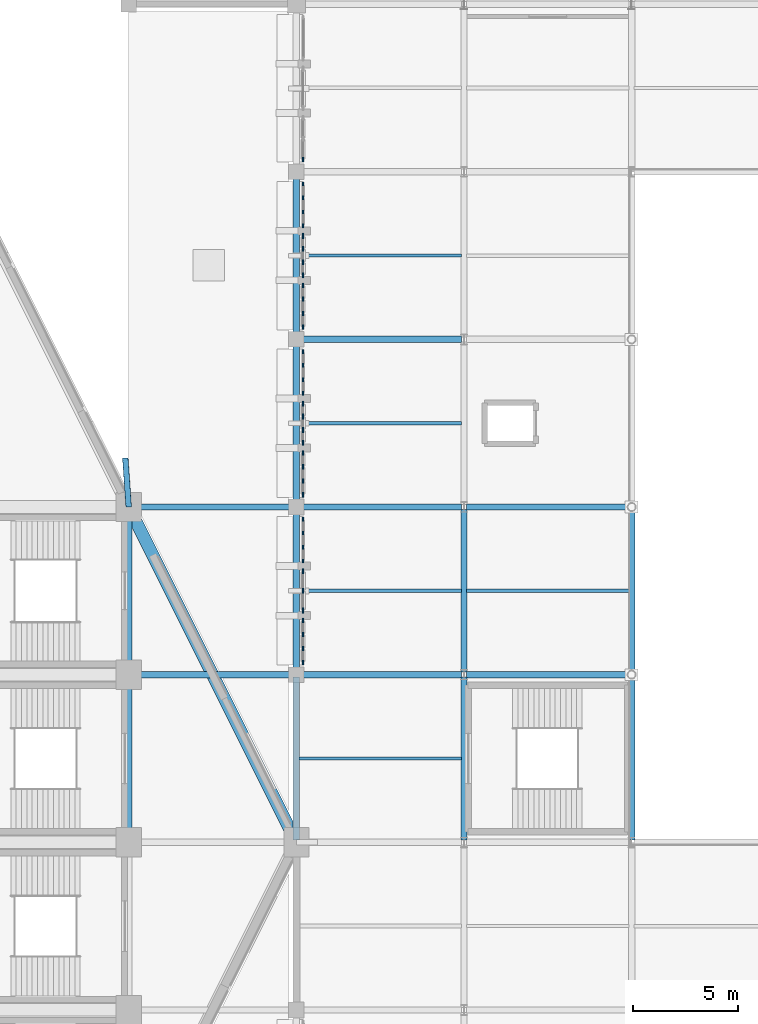
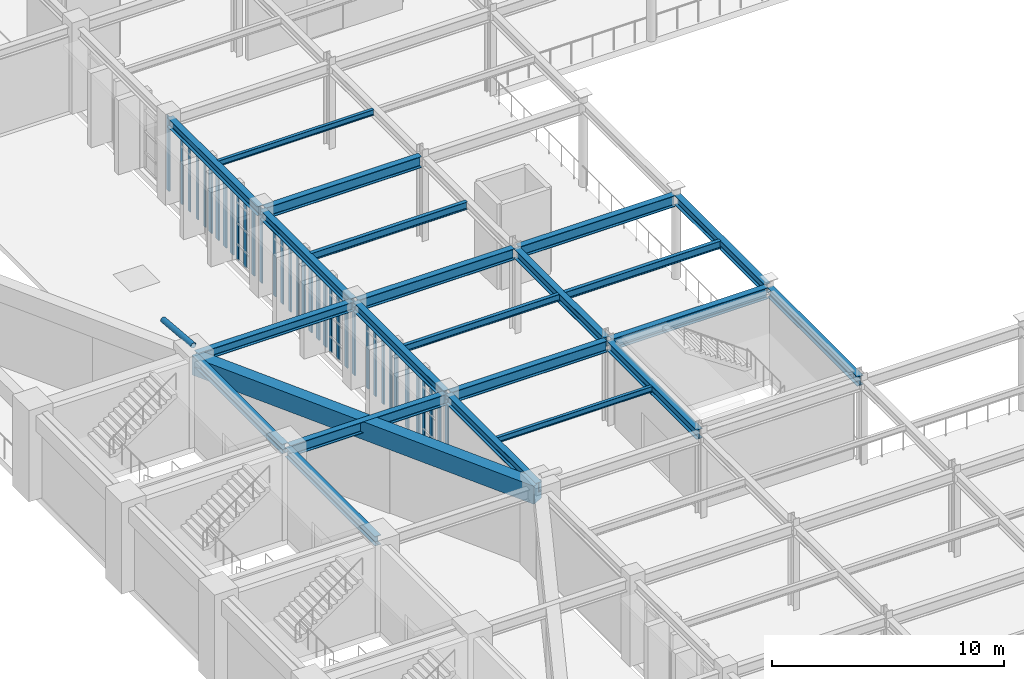
# One storey, part 39 of 155: 37 members, 23 beams, 10 elements without a shape of their own.
"""IFC4 building model written with IfcOpenShell, lengths in metres."""

import ifcopenshell
import ifcopenshell.guid

model = None  # the IFC model being written
_history = None  # IfcOwnerHistory: only IFC2X3 demands one
_inside = {}  # id of a spatial element -> (the spatial element, [elements in it])
_under = {}  # id of a project, library or spatial element -> (it, [spatial elements below it])
_declared = {}  # id of a project -> (the project, [libraries it declares])
_typed = {}  # id of a type object -> (the type object, [elements of that type])
_made_of = {}  # id of a material, layer set ... -> (it, [elements and type objects made of it])


def new_model(schema):
    """Start an empty IFC model of exactly this schema.

    Asked for "IFC4X3", IfcOpenShell would pick the latest addendum, in which some entities
    have other attributes; the version numbers below select the first issue.
    IFC2X3 requires an IfcOwnerHistory on every rooted entity: one is made here for all.
    """
    global model, _history
    if schema == "IFC4X3":
        model = ifcopenshell.file(schema_version=(4, 3, 0, 0))
    else:
        model = ifcopenshell.file(schema=schema)
    _inside.clear()
    _under.clear()
    _declared.clear()
    _typed.clear()
    _made_of.clear()
    _history = None
    if model.schema == "IFC2X3":
        org = make("IfcOrganization", Name="unknown")
        user = make(
            "IfcPersonAndOrganization",
            ThePerson=make("IfcPerson", FamilyName="unknown"),
            TheOrganization=org,
        )
        app = make(
            "IfcApplication",
            ApplicationDeveloper=org,
            Version="unknown",
            ApplicationFullName="unknown",
            ApplicationIdentifier="unknown",
        )
        _history = make(
            "IfcOwnerHistory",
            OwningUser=user,
            OwningApplication=app,
            ChangeAction="ADDED",
            CreationDate=0,
        )
    return model


def make(cls, **values):
    """One entity of the class cls with the attributes given. An attribute that is None is left unset."""
    return model.create_entity(
        cls, **{name: value for name, value in values.items() if value is not None}
    )


def rooted(cls, **values):
    """An entity with a GlobalId (a new one), such as an element, a storey or a relation."""
    return make(cls, GlobalId=ifcopenshell.guid.new(), OwnerHistory=_history, **values)


def si_unit(unit_type, name, prefix=None):
    """IfcSIUnit, for example si_unit("LENGTHUNIT", "METRE", prefix="MILLI")."""
    return make("IfcSIUnit", UnitType=unit_type, Prefix=prefix, Name=name)


def assignment(units):
    """IfcUnitAssignment: the units of a project."""
    return None if units is None else make("IfcUnitAssignment", Units=units)


def point(xyz):
    """IfcCartesianPoint."""
    return None if xyz is None else make("IfcCartesianPoint", Coordinates=xyz)


def direction(xyz):
    """IfcDirection."""
    return None if xyz is None else make("IfcDirection", DirectionRatios=xyz)


def frame(location, z_axis=None, x_axis=None):
    """IfcAxis2Placement3D, a coordinate frame: its origin and axes. An axis left out is left unset."""
    return make(
        "IfcAxis2Placement3D",
        Location=point(location),
        Axis=direction(z_axis),
        RefDirection=direction(x_axis),
    )


def frame_2d(location, x_axis=None):
    """IfcAxis2Placement2D, a coordinate frame in the plane: its origin and x axis."""
    return make(
        "IfcAxis2Placement2D", Location=point(location), RefDirection=direction(x_axis)
    )


def origin():
    """The frame at (0, 0, 0) with its axes left unset."""
    return frame((0.0, 0.0, 0.0))


def origin_2d():
    """The frame at (0, 0) in the plane with its x axis left unset."""
    return frame_2d((0.0, 0.0))


def place(relative_to, where):
    """IfcLocalPlacement: puts the frame where relative to a parent placement (None: the world)."""
    return make(
        "IfcLocalPlacement", PlacementRelTo=relative_to, RelativePlacement=where
    )


def context(
    kind, dimensions, precision=None, world=None, true_north=None, identifier=None
):
    """IfcGeometricRepresentationContext, for example the 3D "Model" context."""
    return make(
        "IfcGeometricRepresentationContext",
        ContextIdentifier=identifier,
        ContextType=kind,
        CoordinateSpaceDimension=dimensions,
        Precision=precision,
        WorldCoordinateSystem=world,
        TrueNorth=true_north,
    )


def subcontext(parent, identifier, kind, view, scale=None):
    """IfcGeometricRepresentationSubContext, for example "Body" below "Model"."""
    return make(
        "IfcGeometricRepresentationSubContext",
        ContextIdentifier=identifier,
        ContextType=kind,
        ParentContext=parent,
        TargetScale=scale,
        TargetView=view,
    )


def project(units=None, contexts=None):
    """IfcProject with its units and contexts."""
    return rooted(
        "IfcProject",
        Name="project",
        RepresentationContexts=contexts,
        UnitsInContext=assignment(units),
    )


def spatial(cls, under=None, at=None, **own):
    """A site, building, storey or space (cls), placed at a placement, below another one or the project."""
    s = rooted(cls, ObjectPlacement=at, **own)
    if under is not None:
        _under.setdefault(under.id(), (under, []))[1].append(s)
    return s


def profile(cls, at=None, kind="AREA", **sizes):
    """A parametric profile (cls). Its sizes go by their IFC names, for example OverallWidth=200.0."""
    return make(cls, ProfileType=kind, Position=at, **sizes)


def rectangle(**sizes):
    """IfcRectangleProfileDef."""
    return profile("IfcRectangleProfileDef", **sizes)


def hollow_circle(**sizes):
    """IfcCircleHollowProfileDef."""
    return profile("IfcCircleHollowProfileDef", **sizes)


def i_section(**sizes):
    """IfcIShapeProfileDef."""
    return profile("IfcIShapeProfileDef", **sizes)


def extrude(swept, where, along, depth):
    """IfcExtrudedAreaSolid: the profile swept, set in the frame where, extruded along a direction by depth."""
    return make(
        "IfcExtrudedAreaSolid",
        SweptArea=swept,
        Position=where,
        ExtrudedDirection=direction(along),
        Depth=depth,
    )


def shape(context_of_items, identifier, shape_type, items):
    """IfcShapeRepresentation: the items that make up one representation, for example the "Body"."""
    return make(
        "IfcShapeRepresentation",
        ContextOfItems=context_of_items,
        RepresentationIdentifier=identifier,
        RepresentationType=shape_type,
        Items=items,
    )


def material(Name=None, Category=None):
    """IfcMaterial."""
    return make("IfcMaterial", Name=Name, Category=Category)


def layer(
    of_material, thickness, ventilated=None, Name=None, Category=None, Priority=None
):
    """IfcMaterialLayer: one layer of a wall or slab, of a material (None: an air gap)."""
    return make(
        "IfcMaterialLayer",
        Material=of_material,
        LayerThickness=thickness,
        IsVentilated=ventilated,
        Name=Name,
        Category=Category,
        Priority=Priority,
    )


def layer_set(layers, Name=None):
    """IfcMaterialLayerSet."""
    return make("IfcMaterialLayerSet", MaterialLayers=layers, LayerSetName=Name)


def material_profile(
    of_material, cross_section, Name=None, Category=None, Priority=None
):
    """IfcMaterialProfile: a cross section and its material."""
    return make(
        "IfcMaterialProfile",
        Name=Name,
        Material=of_material,
        Profile=cross_section,
        Priority=Priority,
        Category=Category,
    )


def profile_set(profiles, Name=None, composite=None):
    """IfcMaterialProfileSet."""
    return make(
        "IfcMaterialProfileSet",
        Name=Name,
        MaterialProfiles=profiles,
        CompositeProfile=composite,
    )


def made_of(thing, what):
    """Note that an element or type object is made of a material, layer set ...; save() writes the relation."""
    if what is not None:
        _made_of.setdefault(what.id(), (what, []))[1].append(thing)
    return thing


def type_object(cls, material=None, **own):
    """A type object (cls), such as IfcWallType, which elements share."""
    return made_of(rooted(cls, **own), material)


def element(
    cls,
    number,
    at=None,
    inside=None,
    cuts=None,
    type_object=None,
    material=None,
    context=None,
    identifier="Body",
    shape_type=None,
    held_by="IfcProductDefinitionShape",
    body=None,
    shapes=None,
    **own,
):
    """One element of the class cls, such as IfcWall. Its Tag is "e" and its number.

    at: its placement. inside: the storey or other place that contains it. cuts: it is an
    opening in that element (IfcRelVoidsElement). A single representation is given by context,
    identifier, shape_type and body (its items); several are given by shapes. held_by: the class
    of the entity that holds the representations. save() writes the other relations.
    """
    e = rooted(cls, Tag="e%d" % number, ObjectPlacement=at, **own)
    if body is not None:
        shapes = [shape(context, identifier, shape_type, body)]
    if shapes is not None:
        e.Representation = make(held_by, Representations=shapes)
    if inside is not None:
        _inside.setdefault(inside.id(), (inside, []))[1].append(e)
    if cuts is not None:
        rooted(
            "IfcRelVoidsElement", RelatingBuildingElement=cuts, RelatedOpeningElement=e
        )
    if type_object is not None:
        _typed.setdefault(type_object.id(), (type_object, []))[1].append(e)
    return made_of(e, material)


def aggregate(whole, parts):
    """IfcRelAggregates: a whole, such as a stair, and the parts it consists of."""
    return rooted("IfcRelAggregates", RelatingObject=whole, RelatedObjects=parts)


def save(model, path):
    """Write the relations noted so far, then the file.

    IfcRelAggregates (storeys below a building ...), IfcRelContainedInSpatialStructure (elements
    in a storey), IfcRelDefinesByType, IfcRelAssociatesMaterial and IfcRelDeclares: one each for
    every whole, place, type object, material and project.
    """
    for whole, parts in _under.values():
        aggregate(whole, parts)
    for where, things in _inside.values():
        rooted(
            "IfcRelContainedInSpatialStructure",
            RelatedElements=things,
            RelatingStructure=where,
        )
    for kind, things in _typed.values():
        rooted("IfcRelDefinesByType", RelatedObjects=things, RelatingType=kind)
    for what, things in _made_of.values():
        rooted("IfcRelAssociatesMaterial", RelatedObjects=things, RelatingMaterial=what)
    for by, libraries in _declared.values():
        rooted("IfcRelDeclares", RelatingContext=by, RelatedDefinitions=libraries)
    model.write(path)


model = new_model("IFC4")

# Units and contexts
model_context = context("Model", 3, precision=1e-05, world=origin(), true_north=direction((0.0, 1.0)))
body_context = subcontext(model_context, "Body", "Model", "MODEL_VIEW")
ifc_project = project(units=[si_unit("LENGTHUNIT", "METRE"), si_unit("AREAUNIT", "SQUARE_METRE"), si_unit("VOLUMEUNIT", "CUBIC_METRE"), si_unit("PLANEANGLEUNIT", "RADIAN"), si_unit("MASSUNIT", "GRAM", prefix="KILO")], contexts=[model_context])

# Site, building, storey
site_placement = place(None, origin())
site = spatial("IfcSite", under=ifc_project, at=site_placement, CompositionType="ELEMENT")
building_placement = place(site_placement, origin())
building = spatial("IfcBuilding", under=site, at=building_placement, Name="Tazarka Park Arena", CompositionType="ELEMENT")
storey_placement = place(building_placement, frame((0.0, 0.0, 5.39990234375)))
storey = spatial("IfcBuildingStorey", under=building, at=storey_placement, Name="L01", CompositionType="ELEMENT", Elevation=5.39990234375)

# Beams
ifc_material_1 = material(Name="Steel S355", Category="steel")
ifc_material_profile_1 = material_profile(ifc_material_1, i_section(OverallWidth=0.300048828125, OverallDepth=0.590087890625, WebThickness=0.012939453125, FlangeThickness=0.02490234375, FilletRadius=0.027099609375, at=origin_2d()), Name="Steel S355")
ifc_profile_set_1 = profile_set([ifc_material_profile_1], Name="Steel S355")
beam_type_1 = type_object("IfcBeamType", Name="BM-B-07", PredefinedType="BEAM", material=ifc_profile_set_1)
for number, where, z_axis, x_axis, name in (
    (1, (128.1201171875, 72.0, 4.125), (1.0, 0.0, 0.0), (0.0, 1.0, 0.0), "GXM-L01-16-09"),
    (2, (136.1201171875, 72.0, 4.125), (1.0, 0.0, 0.0), (0.0, 1.0, 0.0), "GXM-L01-17-09"),
    (3, (136.1201171875, 80.0, 4.125), (1.0, 0.0, 0.0), (0.0, 1.0, 0.0), "GXM-L01-17-10"),
    (4, (136.1201171875, 88.0, 4.125), (1.0, 0.0, 0.0), (0.0, 1.0, 0.0), "GXM-L01-17-11"),
    (5, (144.1201171875, 72.0, 4.125), (1.0, 0.0, 0.0), (0.0, 1.0, 0.0), "GXM-L01-18-09"),
    (6, (144.1201171875, 80.0, 4.125), (1.0, 0.0, 0.0), (0.0, 1.0, 0.0), "GXM-L01-18-10"),
):
    element("IfcBeam", number, at=place(storey_placement, frame(where, z_axis=z_axis, x_axis=x_axis)), inside=storey, type_object=beam_type_1, Name=name, PredefinedType="BEAM", context=body_context, shape_type="SweptSolid", body=[
        extrude(i_section(OverallWidth=0.300048828125, OverallDepth=0.590087890625, WebThickness=0.012939453125, FlangeThickness=0.02490234375, FilletRadius=0.027099609375, at=origin_2d()), origin(), (0.0, 0.0, 1.0), 7.759765625),
    ])
ifc_material_2 = material(Name="Steel S355", Category="steel")
ifc_material_profile_2 = material_profile(ifc_material_2, i_section(OverallWidth=0.300048828125, OverallDepth=0.5, WebThickness=0.014404296875, FlangeThickness=0.028076171875, FilletRadius=0.027099609375, at=origin_2d()), Name="Steel S355")
ifc_profile_set_2 = profile_set([ifc_material_profile_2], Name="Steel S355")
beam_type_2 = type_object("IfcBeamType", Name="BM-B-08", PredefinedType="BEAM", material=ifc_profile_set_2)
for number, where, z_axis, x_axis, name in (
    (7, (128.0, 64.1201171875, 4.170166015625), (0.0, 1.0, 0.0), (-1.0, 0.0, 0.0), "GYM-L01-16-08"),
    (8, (128.0, 72.1201171875, 4.170166015625), (0.0, 1.0, 0.0), (-1.0, 0.0, 0.0), "GYM-L01-16-09"),
    (9, (136.0, 64.1201171875, 4.170166015625), (0.0, 1.0, 0.0), (-1.0, 0.0, 0.0), "GYM-L01-17-08"),
    (10, (136.0, 72.1201171875, 4.170166015625), (0.0, 1.0, 0.0), (-1.0, 0.0, 0.0), "GYM-L01-17-09"),
    (11, (136.0, 80.1201171875, 4.170166015625), (0.0, 1.0, 0.0), (-1.0, 0.0, 0.0), "GYM-L01-17-10"),
    (12, (144.0, 64.1201171875, 4.170166015625), (0.0, 1.0, 0.0), (-1.0, 0.0, 0.0), "GYM-L01-18-08"),
    (13, (144.0, 72.1201171875, 4.170166015625), (0.0, 1.0, 0.0), (-1.0, 0.0, 0.0), "GYM-L01-18-09"),
    (14, (152.0, 64.1201171875, 4.170166015625), (0.0, 1.0, 0.0), (-1.0, 0.0, 0.0), "GYM-L01-19-08"),
):
    element("IfcBeam", number, at=place(storey_placement, frame(where, z_axis=z_axis, x_axis=x_axis)), inside=storey, type_object=beam_type_2, Name=name, PredefinedType="BEAM", context=body_context, shape_type="SweptSolid", body=[
        extrude(i_section(OverallWidth=0.300048828125, OverallDepth=0.5, WebThickness=0.014404296875, FlangeThickness=0.028076171875, FilletRadius=0.027099609375, at=origin_2d()), origin(), (0.0, 0.0, 1.0), 7.759765625),
    ])
ifc_material_3 = material(Name="Steel S355", Category="steel")
ifc_material_profile_3 = material_profile(ifc_material_3, i_section(OverallWidth=0.14990234375, OverallDepth=0.300048828125, WebThickness=0.007080078125, FlangeThickness=0.0107421875, FilletRadius=0.014892578125, at=origin_2d()), Name="Steel S355")
ifc_profile_set_3 = profile_set([ifc_material_profile_3], Name="Steel S355")
beam_type_3 = type_object("IfcBeamType", Name="BM-J-01", PredefinedType="JOIST", material=ifc_profile_set_3)
for number, where, z_axis, x_axis, name in (
    (15, (136.1201171875, 68.0, 4.27001953125), (1.0, 0.0, 0.0), (0.0, 1.0, 0.0), "JST-L01-17-08"),
    (16, (136.1201171875, 92.0, 4.27001953125), (1.0, 0.0, 0.0), (0.0, 1.0, 0.0), "JST-L01-17-11"),
):
    element("IfcBeam", number, at=place(storey_placement, frame(where, z_axis=z_axis, x_axis=x_axis)), inside=storey, type_object=beam_type_3, Name=name, PredefinedType="JOIST", context=body_context, shape_type="SweptSolid", body=[
        extrude(i_section(OverallWidth=0.14990234375, OverallDepth=0.300048828125, WebThickness=0.007080078125, FlangeThickness=0.0107421875, FilletRadius=0.014892578125, at=origin_2d()), origin(), (0.0, 0.0, 1.0), 7.759765625),
    ])
ifc_material_4 = material(Name="Steel S355", Category="steel")
ifc_material_profile_4 = material_profile(ifc_material_4, i_section(OverallWidth=0.169921875, OverallDepth=0.360107421875, WebThickness=0.008056640625, FlangeThickness=0.0126953125, FilletRadius=0.01806640625, at=origin_2d()), Name="Steel S355")
ifc_profile_set_4 = profile_set([ifc_material_profile_4], Name="Steel S355")
beam_type_4 = type_object("IfcBeamType", Name="BM-J-02", PredefinedType="JOIST", material=ifc_profile_set_4)
beam_1_placement = place(storey_placement, frame((136.1201171875, 76.0, 4.239990234375), z_axis=(1.0, 0.0, 0.0), x_axis=(0.0, 1.0, 0.0)))
element("IfcBeam", 17, at=beam_1_placement, inside=storey, type_object=beam_type_4, Name="JST-L01-17-09", PredefinedType="JOIST", context=body_context, shape_type="SweptSolid", body=[
    extrude(i_section(OverallWidth=0.169921875, OverallDepth=0.360107421875, WebThickness=0.008056640625, FlangeThickness=0.0126953125, FilletRadius=0.01806640625, at=origin_2d()), origin(), (0.0, 0.0, 1.0), 7.759765625),
])
ifc_material_5 = material(Name="Steel S355", Category="steel")
ifc_material_profile_5 = material_profile(ifc_material_5, i_section(OverallWidth=0.179931640625, OverallDepth=0.39990234375, WebThickness=0.008544921875, FlangeThickness=0.013427734375, FilletRadius=0.02099609375, at=origin_2d()), Name="Steel S355")
ifc_profile_set_5 = profile_set([ifc_material_profile_5], Name="Steel S355")
beam_type_5 = type_object("IfcBeamType", Name="BM-J-03", PredefinedType="JOIST", material=ifc_profile_set_5)
for number, where, z_axis, x_axis, name in (
    (18, (136.1201171875, 84.0, 4.22021484375), (1.0, 0.0, 0.0), (0.0, 1.0, 0.0), "JST-L01-17-10"),
    (19, (144.1201171875, 76.0, 4.22021484375), (1.0, 0.0, 0.0), (0.0, 1.0, 0.0), "JST-L01-18-09"),
):
    element("IfcBeam", number, at=place(storey_placement, frame(where, z_axis=z_axis, x_axis=x_axis)), inside=storey, type_object=beam_type_5, Name=name, PredefinedType="JOIST", context=body_context, shape_type="SweptSolid", body=[
        extrude(i_section(OverallWidth=0.179931640625, OverallDepth=0.39990234375, WebThickness=0.008544921875, FlangeThickness=0.013427734375, FilletRadius=0.02099609375, at=origin_2d()), origin(), (0.0, 0.0, 1.0), 7.759765625),
    ])
ifc_material_6 = material(Name="Steel S355", Category="steel")
ifc_material_profile_6 = material_profile(ifc_material_6, i_section(OverallWidth=0.300048828125, OverallDepth=0.489990234375, WebThickness=0.011962890625, FlangeThickness=0.02294921875, FilletRadius=0.027099609375, at=origin_2d()), Name="Steel S355")
ifc_profile_set_6 = profile_set([ifc_material_profile_6], Name="Steel S355")
beam_type_6 = type_object("IfcBeamType", Name="BM-SP-02", PredefinedType="SPANDREL", material=ifc_profile_set_6)
for number, where, z_axis, x_axis, name in (
    (20, (128.1201171875, 80.0, 4.175048828125), (1.0, 0.0, 0.0), (0.0, 1.0, 0.0), "GXM-L01-16-10"),
    (21, (136.0, 88.1201171875, 4.175048828125), (0.0, 1.0, 0.0), (-1.0, 0.0, 0.0), "GYM-L01-17-11"),
    (22, (152.0, 72.1201171875, 4.175048828125), (0.0, 1.0, 0.0), (-1.0, 0.0, 0.0), "GYM-L01-19-09"),
):
    element("IfcBeam", number, at=place(storey_placement, frame(where, z_axis=z_axis, x_axis=x_axis)), inside=storey, type_object=beam_type_6, Name=name, PredefinedType="SPANDREL", context=body_context, shape_type="SweptSolid", body=[
        extrude(i_section(OverallWidth=0.300048828125, OverallDepth=0.489990234375, WebThickness=0.011962890625, FlangeThickness=0.02294921875, FilletRadius=0.027099609375, at=origin_2d()), origin(), (0.0, 0.0, 1.0), 7.759765625),
    ])
ifc_material_7 = material(Name="Concrete C40/50", Category="concrete")
ifc_material_profile_7 = material_profile(ifc_material_7, rectangle(XDim=0.60009765625, YDim=0.949951171875, at=origin_2d()), Name="Concrete C40/50")
ifc_profile_set_7 = profile_set([ifc_material_profile_7], Name="Concrete C40/50")
beam_type_7 = type_object("IfcBeamType", Name="BM-SP-03", PredefinedType="SPANDREL", material=ifc_profile_set_7)
beam_2_placement = place(storey_placement, frame((135.9462890625, 64.107421875, 3.945068359375), z_axis=(-0.4472135955, 0.894427191, 0.0), x_axis=(-0.894427191, -0.4472135955, 0.0)))
element("IfcBeam", 23, at=beam_2_placement, inside=storey, type_object=beam_type_7, Name="RING BEAM SP-03-L01-10", PredefinedType="SPANDREL", context=body_context, shape_type="SweptSolid", body=[
    extrude(rectangle(XDim=0.60009765625, YDim=0.949951171875, at=origin_2d()), origin(), (0.0, 0.0, 1.0), 17.6484375),
])

# Curtain wall, members
ifc_material_8 = material(Name="Aluminium and low-e glass", Category="aluminium")
ifc_layer_1 = layer(ifc_material_8, 0.179931640625, Name="Aluminium and low-e glass")
ifc_layer_set_1 = layer_set([ifc_layer_1], Name="Aluminium and low-e glass")
curtain_wall_type_1 = type_object("IfcCurtainWallType", Name="CW-03", PredefinedType="NOTDEFINED", material=ifc_layer_set_1)
curtain_wall_1_placement = place(storey_placement, origin())
curtain_wall_1 = element("IfcCurtainWall", 24, at=curtain_wall_1_placement, inside=storey, type_object=curtain_wall_type_1, Name="Curtain Wall CWA-L01-153", PredefinedType="NOTDEFINED")
ifc_material_9 = material(Name="Aluminium 6060-T66", Category="aluminium")
ifc_material_profile_8 = material_profile(ifc_material_9, rectangle(XDim=0.06494140625, YDim=0.179931640625, at=origin_2d()), Name="Aluminium 6060-T66")
ifc_profile_set_8 = profile_set([ifc_material_profile_8], Name="Aluminium 6060-T66")
member_type_1 = type_object("IfcMemberType", Name="CWM-01", PredefinedType="MULLION", material=ifc_profile_set_8)
member_1_placement = place(storey_placement, frame((136.320068359375, 93.42431640625, 0.0), z_axis=(0.0, 0.0, 1.0), x_axis=(-1.0, 0.0, 0.0)))
member_1 = element("IfcMember", 25, at=member_1_placement, type_object=member_type_1, Name="CW-03 mullion 1", PredefinedType="MULLION", context=body_context, shape_type="SweptSolid", body=[
    extrude(rectangle(XDim=0.06494140625, YDim=0.179931640625, at=origin_2d()), origin(), (0.0, 0.0, 1.0), 3.91015625),
])
member_2_placement = place(storey_placement, frame((136.320068359375, 94.076171875, 0.0), z_axis=(0.0, 0.0, 1.0), x_axis=(-1.0, 0.0, 0.0)))
member_2 = element("IfcMember", 26, at=member_2_placement, type_object=member_type_1, Name="CW-03 mullion 2", PredefinedType="MULLION", context=body_context, shape_type="SweptSolid", body=[
    extrude(rectangle(XDim=0.06494140625, YDim=0.179931640625, at=origin_2d()), origin(), (0.0, 0.0, 1.0), 3.91015625),
])
member_3_placement = place(storey_placement, frame((136.320068359375, 94.760498046875, 0.0), z_axis=(0.0, 0.0, 1.0), x_axis=(-1.0, 0.0, 0.0)))
member_3 = element("IfcMember", 27, at=member_3_placement, type_object=member_type_1, Name="CW-03 mullion 3", PredefinedType="MULLION", context=body_context, shape_type="SweptSolid", body=[
    extrude(rectangle(XDim=0.06494140625, YDim=0.179931640625, at=origin_2d()), origin(), (0.0, 0.0, 1.0), 3.91015625),
])
member_4_placement = place(storey_placement, frame((136.320068359375, 95.41259765625, 0.0), z_axis=(0.0, 0.0, 1.0), x_axis=(-1.0, 0.0, 0.0)))
member_4 = element("IfcMember", 28, at=member_4_placement, type_object=member_type_1, Name="CW-03 mullion 4", PredefinedType="MULLION", context=body_context, shape_type="SweptSolid", body=[
    extrude(rectangle(XDim=0.06494140625, YDim=0.179931640625, at=origin_2d()), origin(), (0.0, 0.0, 1.0), 3.91015625),
])
aggregate(curtain_wall_1, [member_1, member_2, member_3, member_4])

ifc_material_10 = material(Name="Aluminium and low-e glass", Category="aluminium")
ifc_layer_2 = layer(ifc_material_10, 0.179931640625, Name="Aluminium and low-e glass")
ifc_layer_set_2 = layer_set([ifc_layer_2], Name="Aluminium and low-e glass")
curtain_wall_type_2 = type_object("IfcCurtainWallType", Name="CW-06", PredefinedType="NOTDEFINED", material=ifc_layer_set_2)
curtain_wall_2_placement = place(storey_placement, origin())
curtain_wall_2 = element("IfcCurtainWall", 29, at=curtain_wall_2_placement, inside=storey, type_object=curtain_wall_type_2, Name="Curtain Wall CWA-L01-156", PredefinedType="NOTDEFINED")
member_5_placement = place(storey_placement, frame((136.320068359375, 85.42431640625, 0.0), z_axis=(0.0, 0.0, 1.0), x_axis=(-1.0, 0.0, 0.0)))
member_5 = element("IfcMember", 30, at=member_5_placement, type_object=member_type_1, Name="CW-06 mullion 1", PredefinedType="MULLION", context=body_context, shape_type="SweptSolid", body=[
    extrude(rectangle(XDim=0.06494140625, YDim=0.179931640625, at=origin_2d()), origin(), (0.0, 0.0, 1.0), 3.900146484375),
])
member_6_placement = place(storey_placement, frame((136.320068359375, 86.076171875, 0.0), z_axis=(0.0, 0.0, 1.0), x_axis=(-1.0, 0.0, 0.0)))
member_6 = element("IfcMember", 31, at=member_6_placement, type_object=member_type_1, Name="CW-06 mullion 2", PredefinedType="MULLION", context=body_context, shape_type="SweptSolid", body=[
    extrude(rectangle(XDim=0.06494140625, YDim=0.179931640625, at=origin_2d()), origin(), (0.0, 0.0, 1.0), 3.900146484375),
])
member_7_placement = place(storey_placement, frame((136.320068359375, 86.760498046875, 0.0), z_axis=(0.0, 0.0, 1.0), x_axis=(-1.0, 0.0, 0.0)))
member_7 = element("IfcMember", 32, at=member_7_placement, type_object=member_type_1, Name="CW-06 mullion 3", PredefinedType="MULLION", context=body_context, shape_type="SweptSolid", body=[
    extrude(rectangle(XDim=0.06494140625, YDim=0.179931640625, at=origin_2d()), origin(), (0.0, 0.0, 1.0), 3.900146484375),
])
member_8_placement = place(storey_placement, frame((136.320068359375, 87.41259765625, 0.0), z_axis=(0.0, 0.0, 1.0), x_axis=(-1.0, 0.0, 0.0)))
member_8 = element("IfcMember", 33, at=member_8_placement, type_object=member_type_1, Name="CW-06 mullion 4", PredefinedType="MULLION", context=body_context, shape_type="SweptSolid", body=[
    extrude(rectangle(XDim=0.06494140625, YDim=0.179931640625, at=origin_2d()), origin(), (0.0, 0.0, 1.0), 3.900146484375),
])
aggregate(curtain_wall_2, [member_5, member_6, member_7, member_8])

ifc_material_11 = material(Name="Aluminium and low-e glass", Category="aluminium")
ifc_layer_3 = layer(ifc_material_11, 0.179931640625, Name="Aluminium and low-e glass")
ifc_layer_set_3 = layer_set([ifc_layer_3], Name="Aluminium and low-e glass")
curtain_wall_type_3 = type_object("IfcCurtainWallType", Name="CW-09", PredefinedType="NOTDEFINED", material=ifc_layer_set_3)
curtain_wall_3_placement = place(storey_placement, origin())
curtain_wall_3 = element("IfcCurtainWall", 34, at=curtain_wall_3_placement, inside=storey, type_object=curtain_wall_type_3, Name="Curtain Wall CWA-L01-159", PredefinedType="NOTDEFINED")
member_9_placement = place(storey_placement, frame((136.320068359375, 77.42431640625, 0.0), z_axis=(0.0, 0.0, 1.0), x_axis=(-1.0, 0.0, 0.0)))
member_9 = element("IfcMember", 35, at=member_9_placement, type_object=member_type_1, Name="CW-09 mullion 1", PredefinedType="MULLION", context=body_context, shape_type="SweptSolid", body=[
    extrude(rectangle(XDim=0.06494140625, YDim=0.179931640625, at=origin_2d()), origin(), (0.0, 0.0, 1.0), 3.900146484375),
])
member_10_placement = place(storey_placement, frame((136.320068359375, 78.076171875, 0.0), z_axis=(0.0, 0.0, 1.0), x_axis=(-1.0, 0.0, 0.0)))
member_10 = element("IfcMember", 36, at=member_10_placement, type_object=member_type_1, Name="CW-09 mullion 2", PredefinedType="MULLION", context=body_context, shape_type="SweptSolid", body=[
    extrude(rectangle(XDim=0.06494140625, YDim=0.179931640625, at=origin_2d()), origin(), (0.0, 0.0, 1.0), 3.900146484375),
])
member_11_placement = place(storey_placement, frame((136.320068359375, 78.760498046875, 0.0), z_axis=(0.0, 0.0, 1.0), x_axis=(-1.0, 0.0, 0.0)))
member_11 = element("IfcMember", 37, at=member_11_placement, type_object=member_type_1, Name="CW-09 mullion 3", PredefinedType="MULLION", context=body_context, shape_type="SweptSolid", body=[
    extrude(rectangle(XDim=0.06494140625, YDim=0.179931640625, at=origin_2d()), origin(), (0.0, 0.0, 1.0), 3.900146484375),
])
member_12_placement = place(storey_placement, frame((136.320068359375, 79.41259765625, 0.0), z_axis=(0.0, 0.0, 1.0), x_axis=(-1.0, 0.0, 0.0)))
member_12 = element("IfcMember", 38, at=member_12_placement, type_object=member_type_1, Name="CW-09 mullion 4", PredefinedType="MULLION", context=body_context, shape_type="SweptSolid", body=[
    extrude(rectangle(XDim=0.06494140625, YDim=0.179931640625, at=origin_2d()), origin(), (0.0, 0.0, 1.0), 3.900146484375),
])
aggregate(curtain_wall_3, [member_9, member_10, member_11, member_12])

# Curtain wall, member
ifc_material_12 = material(Name="Aluminium and low-e glass", Category="aluminium")
ifc_layer_4 = layer(ifc_material_12, 0.179931640625, Name="Aluminium and low-e glass")
ifc_layer_set_4 = layer_set([ifc_layer_4], Name="Aluminium and low-e glass")
curtain_wall_type_4 = type_object("IfcCurtainWallType", Name="CW-28", PredefinedType="NOTDEFINED", material=ifc_layer_set_4)
curtain_wall_4_placement = place(storey_placement, origin())
curtain_wall_4 = element("IfcCurtainWall", 39, at=curtain_wall_4_placement, inside=storey, type_object=curtain_wall_type_4, Name="Curtain Wall CWA-L01-148", PredefinedType="NOTDEFINED")
ifc_material_13 = material(Name="Aluminium 6060-T66", Category="aluminium")
ifc_material_profile_9 = material_profile(ifc_material_13, rectangle(XDim=0.06494140625, YDim=0.219970703125, at=origin_2d()), Name="Aluminium 6060-T66")
ifc_profile_set_9 = profile_set([ifc_material_profile_9], Name="Aluminium 6060-T66")
member_type_2 = type_object("IfcMemberType", Name="CWM-02", PredefinedType="MULLION", material=ifc_profile_set_9)
member_13_placement = place(storey_placement, frame((136.320068359375, 96.58740234375, 0.0), z_axis=(0.0, 0.0, 1.0), x_axis=(-1.0, 0.0, 0.0)))
member_13 = element("IfcMember", 40, at=member_13_placement, type_object=member_type_2, Name="CW-28 mullion 1", PredefinedType="MULLION", context=body_context, shape_type="SweptSolid", body=[
    extrude(rectangle(XDim=0.06494140625, YDim=0.219970703125, at=origin_2d()), origin(), (0.0, 0.0, 1.0), 3.91015625),
])
aggregate(curtain_wall_4, [member_13])

# Curtain wall, members
ifc_material_14 = material(Name="Aluminium and low-e glass", Category="aluminium")
ifc_layer_5 = layer(ifc_material_14, 0.179931640625, Name="Aluminium and low-e glass")
ifc_layer_set_5 = layer_set([ifc_layer_5], Name="Aluminium and low-e glass")
curtain_wall_type_5 = type_object("IfcCurtainWallType", Name="CW-01", PredefinedType="NOTDEFINED", material=ifc_layer_set_5)
curtain_wall_5_placement = place(storey_placement, origin())
curtain_wall_5 = element("IfcCurtainWall", 41, at=curtain_wall_5_placement, inside=storey, type_object=curtain_wall_type_5, Name="Curtain Wall CWA-L01-151", PredefinedType="NOTDEFINED")
member_14_placement = place(storey_placement, frame((136.320068359375, 88.58740234375, 0.0), z_axis=(0.0, 0.0, 1.0), x_axis=(-1.0, 0.0, 0.0)))
member_14 = element("IfcMember", 42, at=member_14_placement, type_object=member_type_2, Name="CW-01 mullion 1", PredefinedType="MULLION", context=body_context, shape_type="SweptSolid", body=[
    extrude(rectangle(XDim=0.06494140625, YDim=0.219970703125, at=origin_2d()), origin(), (0.0, 0.0, 1.0), 3.91015625),
])
member_15_placement = place(storey_placement, frame((136.320068359375, 89.239501953125, 0.0), z_axis=(0.0, 0.0, 1.0), x_axis=(-1.0, 0.0, 0.0)))
member_15 = element("IfcMember", 43, at=member_15_placement, type_object=member_type_2, Name="CW-01 mullion 2", PredefinedType="MULLION", context=body_context, shape_type="SweptSolid", body=[
    extrude(rectangle(XDim=0.06494140625, YDim=0.219970703125, at=origin_2d()), origin(), (0.0, 0.0, 1.0), 3.91015625),
])
member_16_placement = place(storey_placement, frame((136.320068359375, 89.923828125, 0.0), z_axis=(0.0, 0.0, 1.0), x_axis=(-1.0, 0.0, 0.0)))
member_16 = element("IfcMember", 44, at=member_16_placement, type_object=member_type_2, Name="CW-01 mullion 3", PredefinedType="MULLION", context=body_context, shape_type="SweptSolid", body=[
    extrude(rectangle(XDim=0.06494140625, YDim=0.219970703125, at=origin_2d()), origin(), (0.0, 0.0, 1.0), 3.91015625),
])
member_17_placement = place(storey_placement, frame((136.320068359375, 90.57568359375, 0.0), z_axis=(0.0, 0.0, 1.0), x_axis=(-1.0, 0.0, 0.0)))
member_17 = element("IfcMember", 45, at=member_17_placement, type_object=member_type_2, Name="CW-01 mullion 4", PredefinedType="MULLION", context=body_context, shape_type="SweptSolid", body=[
    extrude(rectangle(XDim=0.06494140625, YDim=0.219970703125, at=origin_2d()), origin(), (0.0, 0.0, 1.0), 3.91015625),
])
aggregate(curtain_wall_5, [member_14, member_15, member_16, member_17])

ifc_material_15 = material(Name="Aluminium and low-e glass", Category="aluminium")
ifc_layer_6 = layer(ifc_material_15, 0.179931640625, Name="Aluminium and low-e glass")
ifc_layer_set_6 = layer_set([ifc_layer_6], Name="Aluminium and low-e glass")
curtain_wall_type_6 = type_object("IfcCurtainWallType", Name="CW-04", PredefinedType="NOTDEFINED", material=ifc_layer_set_6)
curtain_wall_6_placement = place(storey_placement, origin())
curtain_wall_6 = element("IfcCurtainWall", 46, at=curtain_wall_6_placement, inside=storey, type_object=curtain_wall_type_6, Name="Curtain Wall CWA-L01-154", PredefinedType="NOTDEFINED")
member_18_placement = place(storey_placement, frame((136.320068359375, 80.58740234375, 0.0), z_axis=(0.0, 0.0, 1.0), x_axis=(-1.0, 0.0, 0.0)))
member_18 = element("IfcMember", 47, at=member_18_placement, type_object=member_type_2, Name="CW-04 mullion 1", PredefinedType="MULLION", context=body_context, shape_type="SweptSolid", body=[
    extrude(rectangle(XDim=0.06494140625, YDim=0.219970703125, at=origin_2d()), origin(), (0.0, 0.0, 1.0), 3.900146484375),
])
member_19_placement = place(storey_placement, frame((136.320068359375, 81.239501953125, 0.0), z_axis=(0.0, 0.0, 1.0), x_axis=(-1.0, 0.0, 0.0)))
member_19 = element("IfcMember", 48, at=member_19_placement, type_object=member_type_2, Name="CW-04 mullion 2", PredefinedType="MULLION", context=body_context, shape_type="SweptSolid", body=[
    extrude(rectangle(XDim=0.06494140625, YDim=0.219970703125, at=origin_2d()), origin(), (0.0, 0.0, 1.0), 3.900146484375),
])
member_20_placement = place(storey_placement, frame((136.320068359375, 81.923828125, 0.0), z_axis=(0.0, 0.0, 1.0), x_axis=(-1.0, 0.0, 0.0)))
member_20 = element("IfcMember", 49, at=member_20_placement, type_object=member_type_2, Name="CW-04 mullion 3", PredefinedType="MULLION", context=body_context, shape_type="SweptSolid", body=[
    extrude(rectangle(XDim=0.06494140625, YDim=0.219970703125, at=origin_2d()), origin(), (0.0, 0.0, 1.0), 3.900146484375),
])
member_21_placement = place(storey_placement, frame((136.320068359375, 82.57568359375, 0.0), z_axis=(0.0, 0.0, 1.0), x_axis=(-1.0, 0.0, 0.0)))
member_21 = element("IfcMember", 50, at=member_21_placement, type_object=member_type_2, Name="CW-04 mullion 4", PredefinedType="MULLION", context=body_context, shape_type="SweptSolid", body=[
    extrude(rectangle(XDim=0.06494140625, YDim=0.219970703125, at=origin_2d()), origin(), (0.0, 0.0, 1.0), 3.900146484375),
])
aggregate(curtain_wall_6, [member_18, member_19, member_20, member_21])

ifc_material_16 = material(Name="Aluminium and low-e glass", Category="aluminium")
ifc_layer_7 = layer(ifc_material_16, 0.179931640625, Name="Aluminium and low-e glass")
ifc_layer_set_7 = layer_set([ifc_layer_7], Name="Aluminium and low-e glass")
curtain_wall_type_7 = type_object("IfcCurtainWallType", Name="CW-07", PredefinedType="NOTDEFINED", material=ifc_layer_set_7)
curtain_wall_7_placement = place(storey_placement, origin())
curtain_wall_7 = element("IfcCurtainWall", 51, at=curtain_wall_7_placement, inside=storey, type_object=curtain_wall_type_7, Name="Curtain Wall CWA-L01-157", PredefinedType="NOTDEFINED")
member_22_placement = place(storey_placement, frame((136.320068359375, 72.58740234375, 0.0), z_axis=(0.0, 0.0, 1.0), x_axis=(-1.0, 0.0, 0.0)))
member_22 = element("IfcMember", 52, at=member_22_placement, type_object=member_type_2, Name="CW-07 mullion 1", PredefinedType="MULLION", context=body_context, shape_type="SweptSolid", body=[
    extrude(rectangle(XDim=0.06494140625, YDim=0.219970703125, at=origin_2d()), origin(), (0.0, 0.0, 1.0), 3.900146484375),
])
member_23_placement = place(storey_placement, frame((136.320068359375, 73.239501953125, 0.0), z_axis=(0.0, 0.0, 1.0), x_axis=(-1.0, 0.0, 0.0)))
member_23 = element("IfcMember", 53, at=member_23_placement, type_object=member_type_2, Name="CW-07 mullion 2", PredefinedType="MULLION", context=body_context, shape_type="SweptSolid", body=[
    extrude(rectangle(XDim=0.06494140625, YDim=0.219970703125, at=origin_2d()), origin(), (0.0, 0.0, 1.0), 3.900146484375),
])
member_24_placement = place(storey_placement, frame((136.320068359375, 73.923828125, 0.0), z_axis=(0.0, 0.0, 1.0), x_axis=(-1.0, 0.0, 0.0)))
member_24 = element("IfcMember", 54, at=member_24_placement, type_object=member_type_2, Name="CW-07 mullion 3", PredefinedType="MULLION", context=body_context, shape_type="SweptSolid", body=[
    extrude(rectangle(XDim=0.06494140625, YDim=0.219970703125, at=origin_2d()), origin(), (0.0, 0.0, 1.0), 3.900146484375),
])
member_25_placement = place(storey_placement, frame((136.320068359375, 74.57568359375, 0.0), z_axis=(0.0, 0.0, 1.0), x_axis=(-1.0, 0.0, 0.0)))
member_25 = element("IfcMember", 55, at=member_25_placement, type_object=member_type_2, Name="CW-07 mullion 4", PredefinedType="MULLION", context=body_context, shape_type="SweptSolid", body=[
    extrude(rectangle(XDim=0.06494140625, YDim=0.219970703125, at=origin_2d()), origin(), (0.0, 0.0, 1.0), 3.900146484375),
])
aggregate(curtain_wall_7, [member_22, member_23, member_24, member_25])

ifc_material_17 = material(Name="Aluminium and low-e glass", Category="aluminium")
ifc_layer_8 = layer(ifc_material_17, 0.179931640625, Name="Aluminium and low-e glass")
ifc_layer_set_8 = layer_set([ifc_layer_8], Name="Aluminium and low-e glass")
curtain_wall_type_8 = type_object("IfcCurtainWallType", Name="CW-02", PredefinedType="NOTDEFINED", material=ifc_layer_set_8)
curtain_wall_8_placement = place(storey_placement, origin())
curtain_wall_8 = element("IfcCurtainWall", 56, at=curtain_wall_8_placement, inside=storey, type_object=curtain_wall_type_8, Name="Curtain Wall CWA-L01-152", PredefinedType="NOTDEFINED")
ifc_material_18 = material(Name="Aluminium 6060-T66", Category="aluminium")
ifc_material_profile_10 = material_profile(ifc_material_18, rectangle(XDim=0.074951171875, YDim=0.25, at=origin_2d()), Name="Aluminium 6060-T66")
ifc_profile_set_10 = profile_set([ifc_material_profile_10], Name="Aluminium 6060-T66")
member_type_3 = type_object("IfcMemberType", Name="CWM-03", PredefinedType="MULLION", material=ifc_profile_set_10)
member_26_placement = place(storey_placement, frame((136.320068359375, 91.06591796875, 0.0), z_axis=(0.0, 0.0, 1.0), x_axis=(-1.0, 0.0, 0.0)))
member_26 = element("IfcMember", 57, at=member_26_placement, type_object=member_type_3, Name="CW-02 mullion 1", PredefinedType="MULLION", context=body_context, shape_type="SweptSolid", body=[
    extrude(rectangle(XDim=0.074951171875, YDim=0.25, at=origin_2d()), origin(), (0.0, 0.0, 1.0), 3.91015625),
])
member_27_placement = place(storey_placement, frame((136.320068359375, 91.676025390625, 0.0), z_axis=(0.0, 0.0, 1.0), x_axis=(-1.0, 0.0, 0.0)))
member_27 = element("IfcMember", 58, at=member_27_placement, type_object=member_type_3, Name="CW-02 mullion 2", PredefinedType="MULLION", context=body_context, shape_type="SweptSolid", body=[
    extrude(rectangle(XDim=0.074951171875, YDim=0.25, at=origin_2d()), origin(), (0.0, 0.0, 1.0), 3.91015625),
])
member_28_placement = place(storey_placement, frame((136.320068359375, 92.323974609375, 0.0), z_axis=(0.0, 0.0, 1.0), x_axis=(-1.0, 0.0, 0.0)))
member_28 = element("IfcMember", 59, at=member_28_placement, type_object=member_type_3, Name="CW-02 mullion 3", PredefinedType="MULLION", context=body_context, shape_type="SweptSolid", body=[
    extrude(rectangle(XDim=0.074951171875, YDim=0.25, at=origin_2d()), origin(), (0.0, 0.0, 1.0), 3.91015625),
])
member_29_placement = place(storey_placement, frame((136.320068359375, 92.93408203125, 0.0), z_axis=(0.0, 0.0, 1.0), x_axis=(-1.0, 0.0, 0.0)))
member_29 = element("IfcMember", 60, at=member_29_placement, type_object=member_type_3, Name="CW-02 mullion 4", PredefinedType="MULLION", context=body_context, shape_type="SweptSolid", body=[
    extrude(rectangle(XDim=0.074951171875, YDim=0.25, at=origin_2d()), origin(), (0.0, 0.0, 1.0), 3.91015625),
])
aggregate(curtain_wall_8, [member_26, member_27, member_28, member_29])

ifc_material_19 = material(Name="Aluminium and low-e glass", Category="aluminium")
ifc_layer_9 = layer(ifc_material_19, 0.179931640625, Name="Aluminium and low-e glass")
ifc_layer_set_9 = layer_set([ifc_layer_9], Name="Aluminium and low-e glass")
curtain_wall_type_9 = type_object("IfcCurtainWallType", Name="CW-05", PredefinedType="NOTDEFINED", material=ifc_layer_set_9)
curtain_wall_9_placement = place(storey_placement, origin())
curtain_wall_9 = element("IfcCurtainWall", 61, at=curtain_wall_9_placement, inside=storey, type_object=curtain_wall_type_9, Name="Curtain Wall CWA-L01-155", PredefinedType="NOTDEFINED")
member_30_placement = place(storey_placement, frame((136.320068359375, 83.06591796875, 0.0), z_axis=(0.0, 0.0, 1.0), x_axis=(-1.0, 0.0, 0.0)))
member_30 = element("IfcMember", 62, at=member_30_placement, type_object=member_type_3, Name="CW-05 mullion 1", PredefinedType="MULLION", context=body_context, shape_type="SweptSolid", body=[
    extrude(rectangle(XDim=0.074951171875, YDim=0.25, at=origin_2d()), origin(), (0.0, 0.0, 1.0), 3.900146484375),
])
member_31_placement = place(storey_placement, frame((136.320068359375, 83.676025390625, 0.0), z_axis=(0.0, 0.0, 1.0), x_axis=(-1.0, 0.0, 0.0)))
member_31 = element("IfcMember", 63, at=member_31_placement, type_object=member_type_3, Name="CW-05 mullion 2", PredefinedType="MULLION", context=body_context, shape_type="SweptSolid", body=[
    extrude(rectangle(XDim=0.074951171875, YDim=0.25, at=origin_2d()), origin(), (0.0, 0.0, 1.0), 3.900146484375),
])
member_32_placement = place(storey_placement, frame((136.320068359375, 84.323974609375, 0.0), z_axis=(0.0, 0.0, 1.0), x_axis=(-1.0, 0.0, 0.0)))
member_32 = element("IfcMember", 64, at=member_32_placement, type_object=member_type_3, Name="CW-05 mullion 3", PredefinedType="MULLION", context=body_context, shape_type="SweptSolid", body=[
    extrude(rectangle(XDim=0.074951171875, YDim=0.25, at=origin_2d()), origin(), (0.0, 0.0, 1.0), 3.900146484375),
])
member_33_placement = place(storey_placement, frame((136.320068359375, 84.93408203125, 0.0), z_axis=(0.0, 0.0, 1.0), x_axis=(-1.0, 0.0, 0.0)))
member_33 = element("IfcMember", 65, at=member_33_placement, type_object=member_type_3, Name="CW-05 mullion 4", PredefinedType="MULLION", context=body_context, shape_type="SweptSolid", body=[
    extrude(rectangle(XDim=0.074951171875, YDim=0.25, at=origin_2d()), origin(), (0.0, 0.0, 1.0), 3.900146484375),
])
aggregate(curtain_wall_9, [member_30, member_31, member_32, member_33])

ifc_material_20 = material(Name="Aluminium and low-e glass", Category="aluminium")
ifc_layer_10 = layer(ifc_material_20, 0.179931640625, Name="Aluminium and low-e glass")
ifc_layer_set_10 = layer_set([ifc_layer_10], Name="Aluminium and low-e glass")
curtain_wall_type_10 = type_object("IfcCurtainWallType", Name="CW-08", PredefinedType="NOTDEFINED", material=ifc_layer_set_10)
curtain_wall_10_placement = place(storey_placement, origin())
curtain_wall_10 = element("IfcCurtainWall", 66, at=curtain_wall_10_placement, inside=storey, type_object=curtain_wall_type_10, Name="Curtain Wall CWA-L01-158", PredefinedType="NOTDEFINED")
member_34_placement = place(storey_placement, frame((136.320068359375, 75.06591796875, 0.0), z_axis=(0.0, 0.0, 1.0), x_axis=(-1.0, 0.0, 0.0)))
member_34 = element("IfcMember", 67, at=member_34_placement, type_object=member_type_3, Name="CW-08 mullion 1", PredefinedType="MULLION", context=body_context, shape_type="SweptSolid", body=[
    extrude(rectangle(XDim=0.074951171875, YDim=0.25, at=origin_2d()), origin(), (0.0, 0.0, 1.0), 3.900146484375),
])
member_35_placement = place(storey_placement, frame((136.320068359375, 76.0, 0.0), z_axis=(0.0, 0.0, 1.0), x_axis=(-1.0, 0.0, 0.0)))
member_35 = element("IfcMember", 68, at=member_35_placement, type_object=member_type_3, Name="CW-08 mullion 2", PredefinedType="MULLION", context=body_context, shape_type="SweptSolid", body=[
    extrude(rectangle(XDim=0.074951171875, YDim=0.25, at=origin_2d()), origin(), (0.0, 0.0, 1.0), 3.900146484375),
])
member_36_placement = place(storey_placement, frame((136.320068359375, 76.93408203125, 0.0), z_axis=(0.0, 0.0, 1.0), x_axis=(-1.0, 0.0, 0.0)))
member_36 = element("IfcMember", 69, at=member_36_placement, type_object=member_type_3, Name="CW-08 mullion 3", PredefinedType="MULLION", context=body_context, shape_type="SweptSolid", body=[
    extrude(rectangle(XDim=0.074951171875, YDim=0.25, at=origin_2d()), origin(), (0.0, 0.0, 1.0), 3.900146484375),
])
aggregate(curtain_wall_10, [member_34, member_35, member_36])

# Member
ifc_material_21 = material(Name="Steel S355", Category="steel")
ifc_material_profile_11 = material_profile(ifc_material_21, hollow_circle(Radius=0.136474609375, WallThickness=0.012451171875, at=origin_2d()), Name="Steel S355")
ifc_profile_set_11 = profile_set([ifc_material_profile_11], Name="Steel S355")
member_type_4 = type_object("IfcMemberType", Name="MEM-SR-01", PredefinedType="STRUT", material=ifc_profile_set_11)
member_37_placement = place(storey_placement, frame((128.0, 80.0, 4.800048828125), z_axis=(-0.069395698306, 0.99758921258, 0.0), x_axis=(-0.99758921258, -0.069395698306, 0.0)))
element("IfcMember", 70, at=member_37_placement, inside=storey, type_object=member_type_4, Name="FSB-10", PredefinedType="STRUT", context=body_context, shape_type="SweptSolid", body=[
    extrude(hollow_circle(Radius=0.136474609375, WallThickness=0.012451171875, at=origin_2d()), origin(), (0.0, 0.0, 1.0), 2.343017578125),
])

save(model, "model.ifc")
